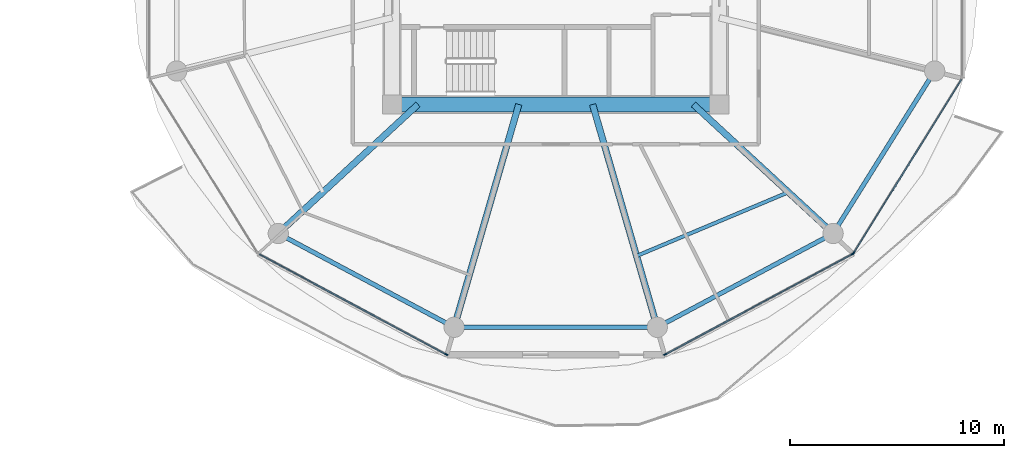
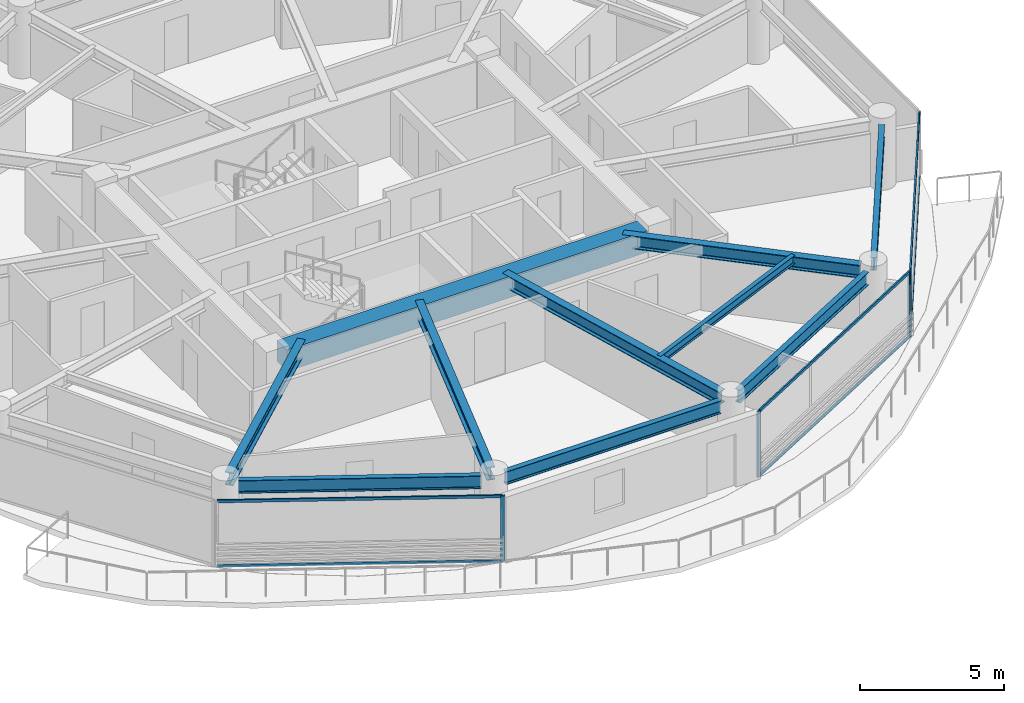
# One storey, part 10 of 25: 10 beams, 10 members, 3 elements without a shape of their own.
"""IFC4 building model written with IfcOpenShell, lengths in metres."""

from ifc_helpers import new_model, si_unit, direction, frame, origin, origin_2d, place, context, subcontext, project, spatial, rectangle, i_section, extrude, source, transform, mapped, material, layer, layer_set, material_profile, profile_set, type_object, type_shapes, element, aggregate, save


model = new_model("IFC4")

# Units and contexts
model_context = context("Model", 3, precision=1e-05, world=origin(), true_north=direction((0.0, 1.0)))
body_context = subcontext(model_context, "Body", "Model", "MODEL_VIEW")
ifc_project = project(units=[si_unit("LENGTHUNIT", "METRE"), si_unit("AREAUNIT", "SQUARE_METRE"), si_unit("VOLUMEUNIT", "CUBIC_METRE"), si_unit("PLANEANGLEUNIT", "RADIAN"), si_unit("MASSUNIT", "GRAM", prefix="KILO")], contexts=[model_context])

# Site, building, storey
site_placement = place(None, origin())
site = spatial("IfcSite", under=ifc_project, at=site_placement, CompositionType="ELEMENT")
building_placement = place(site_placement, origin())
building = spatial("IfcBuilding", under=site, at=building_placement, Name="Norrkilde Senior Care Towers", CompositionType="ELEMENT")
storey_placement = place(building_placement, frame((0.0, 0.0, 27.699951171875)))
storey = spatial("IfcBuildingStorey", under=building, at=storey_placement, Name="L07", CompositionType="ELEMENT", Elevation=27.699951171875)

# Beams
ifc_material_1 = material(Name="Concrete C60/75", Category="concrete")
ifc_material_profile_1 = material_profile(ifc_material_1, rectangle(XDim=0.699951171875, YDim=0.89990234375, at=origin_2d()), Name="RC BM 700x900")
ifc_profile_set_1 = profile_set([ifc_material_profile_1], Name="Concrete C60/75")
beam_type_1 = type_object("IfcBeamType", Name="Core Coupling Girder 700x900", PredefinedType="USERDEFINED", material=ifc_profile_set_1)
shared_shape_1 = source(origin(), body_context, "Body", "SweptSolid", [
    extrude(rectangle(XDim=0.699951171875, YDim=0.89990234375, at=origin_2d()), origin(), (0.0, 0.0, 1.0), 14.43994140625),
])
type_shapes(beam_type_1, [shared_shape_1])
beam_1_placement = place(storey_placement, frame((20.780029296875, -5.949951171875, 2.340087890625), z_axis=(1.0, 0.0, 0.0), x_axis=(0.0, 1.0, 0.0)))
element("IfcBeam", 1, at=beam_1_placement, inside=storey, type_object=beam_type_1, Name="L07 Core E S Coupling Girder", ObjectType="GIRDER", PredefinedType="USERDEFINED", context=body_context, shape_type="MappedRepresentation", body=[
    mapped(shared_shape_1, transform((0.0, 0.0, 0.0), x_axis=(1.0, 0.0, 0.0), y_axis=(0.0, 1.0, 0.0), z_axis=(0.0, 0.0, 1.0), scale=1.0)),
])
ifc_material_2 = material(Name="Steel S355", Category="steel")
ifc_material_profile_2 = material_profile(ifc_material_2, i_section(OverallWidth=0.2099609375, OverallDepth=0.550048828125, WebThickness=0.010986328125, FlangeThickness=0.01708984375, FilletRadius=0.02392578125, at=origin_2d()), Name="IPE 550")
ifc_profile_set_2 = profile_set([ifc_material_profile_2], Name="Steel S355")
beam_type_2 = type_object("IfcBeamType", Name="Perimeter Ring Spandrel Z1 IPE550", PredefinedType="SPANDREL", material=ifc_profile_set_2)
shared_shape_2 = source(origin(), body_context, "Body", "SweptSolid", [
    extrude(i_section(OverallWidth=0.2099609375, OverallDepth=0.550048828125, WebThickness=0.010986328125, FlangeThickness=0.01708984375, FilletRadius=0.02392578125, at=origin_2d()), origin(), (0.0, 0.0, 1.0), 8.090576171875),
])
beam_2_placement = place(storey_placement, frame((41.2060546875, -11.61669921875, 2.51513671875), z_axis=(0.530004364821, 0.84799491347, 0.0), x_axis=(-0.84799491347, 0.530004364821, 0.0)))
element("IfcBeam", 2, at=beam_2_placement, inside=storey, type_object=beam_type_2, Name="L07 Drum E Perimeter Spandrel 11", PredefinedType="SPANDREL", context=body_context, shape_type="MappedRepresentation", body=[
    mapped(shared_shape_2, transform((0.0, 0.0, 0.0), x_axis=(1.0, 0.0, 0.0), y_axis=(0.0, 1.0, 0.0), z_axis=(0.0, 0.0, 1.0), scale=1.0)),
])
shared_shape_3 = source(origin(), body_context, "Body", "SweptSolid", [
    extrude(i_section(OverallWidth=0.2099609375, OverallDepth=0.550048828125, WebThickness=0.010986328125, FlangeThickness=0.01708984375, FilletRadius=0.02392578125, at=origin_2d()), origin(), (0.0, 0.0, 1.0), 8.452880859375),
])
for number, where, z_axis, x_axis, name in (
    (3, (15.408447265625, -12.190185546875, 2.51513671875), (0.882368931134, -0.470558252898, 0.0), (0.470558252898, 0.882368931134, 0.0), "L07 Drum E Perimeter Spandrel 08"),
    (4, (33.133056640625, -16.167724609375, 2.51513671875), (0.882368931134, 0.470558252898, 0.0), (-0.470558252898, 0.882368931134, 0.0), "L07 Drum E Perimeter Spandrel 10"),
):
    element("IfcBeam", number, at=place(storey_placement, frame(where, z_axis=z_axis, x_axis=x_axis)), inside=storey, type_object=beam_type_2, Name=name, PredefinedType="SPANDREL", context=body_context, shape_type="MappedRepresentation", body=[
        mapped(shared_shape_3, transform((0.0, 0.0, 0.0), x_axis=(1.0, 0.0, 0.0), y_axis=(0.0, 1.0, 0.0), z_axis=(0.0, 0.0, 1.0), scale=1.0)),
    ])
ifc_material_profile_3 = material_profile(ifc_material_2, i_section(OverallWidth=0.300048828125, OverallDepth=0.550048828125, WebThickness=0.014892578125, FlangeThickness=0.029052734375, FilletRadius=0.027099609375, at=origin_2d()), Name="HEB 550")
ifc_profile_set_3 = profile_set([ifc_material_profile_3], Name="Steel S355")
beam_type_3 = type_object("IfcBeamType", Name="Radial Floor Beam Z1 HEB550", PredefinedType="BEAM", material=ifc_profile_set_3)
shared_shape_4 = source(origin(), body_context, "Body", "SweptSolid", [
    extrude(i_section(OverallWidth=0.300048828125, OverallDepth=0.550048828125, WebThickness=0.014892578125, FlangeThickness=0.029052734375, FilletRadius=0.027099609375, at=origin_2d()), origin(), (0.0, 0.0, 1.0), 8.459716796875),
])
for number, where, z_axis, x_axis, name in (
    (5, (21.55859375, -5.949951171875, 2.51513671875), (-0.734573269108, -0.678529374686, 0.0), (0.678529374686, -0.734573269108, 0.0), "L07 Drum E Radial Floor Beam 08"),
    (6, (34.44140625, -5.949951171875, 2.51513671875), (0.734573269108, -0.678529374686, 0.0), (0.678529374686, 0.734573269108, 0.0), "L07 Drum E Radial Floor Beam 11"),
):
    element("IfcBeam", number, at=place(storey_placement, frame(where, z_axis=z_axis, x_axis=x_axis)), inside=storey, type_object=beam_type_3, Name=name, PredefinedType="BEAM", context=body_context, shape_type="MappedRepresentation", body=[
        mapped(shared_shape_4, transform((0.0, 0.0, 0.0), x_axis=(1.0, 0.0, 0.0), y_axis=(0.0, 1.0, 0.0), z_axis=(0.0, 0.0, 1.0), scale=1.0)),
    ])
shared_shape_5 = source(origin(), body_context, "Body", "SweptSolid", [
    extrude(i_section(OverallWidth=0.2099609375, OverallDepth=0.550048828125, WebThickness=0.010986328125, FlangeThickness=0.01708984375, FilletRadius=0.02392578125, at=origin_2d()), origin(), (0.0, 0.0, 1.0), 8.62841796875),
])
type_shapes(beam_type_2, [shared_shape_2, shared_shape_3, shared_shape_5])
beam_3_placement = place(storey_placement, frame((23.685791015625, -16.37255859375, 2.51513671875), z_axis=(1.0, 0.0, 0.0), x_axis=(0.0, 1.0, 0.0)))
element("IfcBeam", 7, at=beam_3_placement, inside=storey, type_object=beam_type_2, Name="L07 Drum E Perimeter Spandrel 09", PredefinedType="SPANDREL", context=body_context, shape_type="MappedRepresentation", body=[
    mapped(shared_shape_5, transform((0.0, 0.0, 0.0), x_axis=(1.0, 0.0, 0.0), y_axis=(0.0, 1.0, 0.0), z_axis=(0.0, 0.0, 1.0), scale=1.0)),
])
shared_shape_6 = source(origin(), body_context, "Body", "SweptSolid", [
    extrude(i_section(OverallWidth=0.300048828125, OverallDepth=0.550048828125, WebThickness=0.014892578125, FlangeThickness=0.029052734375, FilletRadius=0.027099609375, at=origin_2d()), origin(), (0.0, 0.0, 1.0), 10.4169921875),
])
type_shapes(beam_type_3, [shared_shape_4, shared_shape_6])
for number, where, z_axis, x_axis, name in (
    (8, (26.27392578125, -5.949951171875, 2.51513671875), (-0.278591250785, -0.960409764104, 0.0), (0.960409764104, -0.278591250785, 0.0), "L07 Drum E Radial Floor Beam 09"),
    (9, (29.72607421875, -5.949951171875, 2.51513671875), (0.278591250785, -0.960409764104, 0.0), (0.960409764104, 0.278591250785, 0.0), "L07 Drum E Radial Floor Beam 10"),
):
    element("IfcBeam", number, at=place(storey_placement, frame(where, z_axis=z_axis, x_axis=x_axis)), inside=storey, type_object=beam_type_3, Name=name, PredefinedType="BEAM", context=body_context, shape_type="MappedRepresentation", body=[
        mapped(shared_shape_6, transform((0.0, 0.0, 0.0), x_axis=(1.0, 0.0, 0.0), y_axis=(0.0, 1.0, 0.0), z_axis=(0.0, 0.0, 1.0), scale=1.0)),
    ])
ifc_material_profile_4 = material_profile(ifc_material_2, i_section(OverallWidth=0.169921875, OverallDepth=0.360107421875, WebThickness=0.008056640625, FlangeThickness=0.0126953125, FilletRadius=0.01806640625, at=origin_2d()), Name="IPE 360")
ifc_profile_set_4 = profile_set([ifc_material_profile_4], Name="Steel S355")
beam_type_4 = type_object("IfcBeamType", Name="Secondary Floor Joist IPE360", PredefinedType="JOIST", material=ifc_profile_set_4)
shared_shape_7 = source(origin(), body_context, "Body", "SweptSolid", [
    extrude(i_section(OverallWidth=0.169921875, OverallDepth=0.360107421875, WebThickness=0.008056640625, FlangeThickness=0.0126953125, FilletRadius=0.01806640625, at=origin_2d()), origin(), (0.0, 0.0, 1.0), 7.703857421875),
])
type_shapes(beam_type_4, [shared_shape_7])
beam_4_placement = place(storey_placement, frame((31.78173828125, -13.037353515625, 2.610107421875), z_axis=(0.921982784465, 0.387230868023, 0.0), x_axis=(-0.387230868023, 0.921982784465, 0.0)))
element("IfcBeam", 10, at=beam_4_placement, inside=storey, type_object=beam_type_4, Name="L07 Drum E Secondary Floor Joist 4", PredefinedType="JOIST", context=body_context, shape_type="MappedRepresentation", body=[
    mapped(shared_shape_7, transform((0.0, 0.0, 0.0), x_axis=(1.0, 0.0, 0.0), y_axis=(0.0, 1.0, 0.0), z_axis=(0.0, 0.0, 1.0), scale=1.0)),
])

# Curtain wall, member
ifc_material_3 = material(Name="Triple Low-E Insulated Glazing", Category="glass")
ifc_layer = layer(ifc_material_3, 0.199951171875)
ifc_layer_set = layer_set([ifc_layer], Name="Triple Low-E Insulated Glazing")
curtain_wall_type = type_object("IfcCurtainWallType", Name="CW2 Zone 1 Memory Care Curtain Wall", PredefinedType="NOTDEFINED", material=ifc_layer_set)
curtain_wall_1_placement = place(storey_placement, origin())
curtain_wall_1 = element("IfcCurtainWall", 11, at=curtain_wall_1_placement, inside=storey, type_object=curtain_wall_type, Name="L07 Drum E Curtain Wall 07", PredefinedType="NOTDEFINED")
ifc_material_4 = material(Name="Anodised Aluminium", Category="aluminium")
ifc_material_profile_5 = material_profile(ifc_material_4, rectangle(XDim=0.06494140625, YDim=0.159912109375, at=origin_2d()), Name="ALU MULL 65x160")
ifc_profile_set_5 = profile_set([ifc_material_profile_5], Name="Anodised Aluminium")
member_type_1 = type_object("IfcMemberType", Name="Curtain Wall Mullion Z1-Z2 65x160", PredefinedType="MULLION", material=ifc_profile_set_5)
shared_shape_8 = source(origin(), body_context, "Body", "SweptSolid", [
    extrude(rectangle(XDim=0.06494140625, YDim=0.159912109375, at=origin_2d()), origin(), (0.0, 0.0, 1.0), 2.7900390625),
])
type_shapes(member_type_1, [shared_shape_8])
member_1_placement = place(storey_placement, frame((22.877685546875, -17.641845703125, 0.0), z_axis=(0.0, 0.0, 1.0), x_axis=(-0.472607802456, -0.881272866403, 0.0)))
member_1 = element("IfcMember", 12, at=member_1_placement, type_object=member_type_1, Name="CW-2 mullion 1", PredefinedType="MULLION", context=body_context, shape_type="MappedRepresentation", body=[
    mapped(shared_shape_8, transform((0.0, 0.0, 0.0), x_axis=(1.0, 0.0, 0.0), y_axis=(0.0, 1.0, 0.0), z_axis=(0.0, 0.0, 1.0), scale=1.0)),
])

# Curtain wall, members
curtain_wall_2_placement = place(storey_placement, origin())
curtain_wall_2 = element("IfcCurtainWall", 13, at=curtain_wall_2_placement, inside=storey, type_object=curtain_wall_type, Name="L07 Drum E Curtain Wall 09", PredefinedType="NOTDEFINED")
member_2_placement = place(storey_placement, frame((41.88720703125, -12.941162109375, 0.0), z_axis=(0.0, 0.0, 1.0), x_axis=(0.472607802456, -0.881272866403, 0.0)))
member_2 = element("IfcMember", 14, at=member_2_placement, type_object=member_type_1, Name="CW-2 mullion 1", PredefinedType="MULLION", context=body_context, shape_type="MappedRepresentation", body=[
    mapped(shared_shape_8, transform((0.0, 0.0, 0.0), x_axis=(1.0, 0.0, 0.0), y_axis=(0.0, 1.0, 0.0), z_axis=(0.0, 0.0, 1.0), scale=1.0)),
])
member_3_placement = place(storey_placement, frame((33.122314453125, -17.641845703125, 0.0), z_axis=(0.0, 0.0, 1.0), x_axis=(0.472607802456, -0.881272866403, 0.0)))
member_3 = element("IfcMember", 15, at=member_3_placement, type_object=member_type_1, Name="CW-2 mullion 2", PredefinedType="MULLION", context=body_context, shape_type="MappedRepresentation", body=[
    mapped(shared_shape_8, transform((0.0, 0.0, 0.0), x_axis=(1.0, 0.0, 0.0), y_axis=(0.0, 1.0, 0.0), z_axis=(0.0, 0.0, 1.0), scale=1.0)),
])

curtain_wall_3_placement = place(storey_placement, origin())
curtain_wall_3 = element("IfcCurtainWall", 16, at=curtain_wall_3_placement, inside=storey, type_object=curtain_wall_type, Name="L07 Drum E Curtain Wall 10", PredefinedType="NOTDEFINED")
member_4_placement = place(storey_placement, frame((41.93310546875, -12.898193359375, 0.0), z_axis=(0.0, 0.0, 1.0), x_axis=(0.849305943117, -0.527900951871, 0.0)))
member_4 = element("IfcMember", 17, at=member_4_placement, type_object=member_type_1, Name="CW-2 mullion 2", PredefinedType="MULLION", context=body_context, shape_type="MappedRepresentation", body=[
    mapped(shared_shape_8, transform((0.0, 0.0, 0.0), x_axis=(1.0, 0.0, 0.0), y_axis=(0.0, 1.0, 0.0), z_axis=(0.0, 0.0, 1.0), scale=1.0)),
])
ifc_material_profile_6 = material_profile(ifc_material_4, rectangle(XDim=0.06005859375, YDim=0.1201171875, at=origin_2d()), Name="ALU TRAN 60x120")
ifc_profile_set_6 = profile_set([ifc_material_profile_6], Name="Anodised Aluminium")
member_type_2 = type_object("IfcMemberType", Name="Curtain Wall Transom Typical 60x120", PredefinedType="USERDEFINED", material=ifc_profile_set_6)
shared_shape_9 = source(origin(), body_context, "Body", "SweptSolid", [
    extrude(rectangle(XDim=0.06005859375, YDim=0.1201171875, at=origin_2d()), origin(), (0.0, 0.0, 1.0), 9.5185546875),
])
member_5_placement = place(storey_placement, frame((46.97509765625, -4.786376953125, 0.030029296875), z_axis=(-0.527901620669, -0.849305527413, 0.0), x_axis=(0.849305527413, -0.527901620669, 0.0)))
member_5 = element("IfcMember", 18, at=member_5_placement, type_object=member_type_2, Name="CW-2 transom 1.1", ObjectType="TRANSOM", PredefinedType="USERDEFINED", context=body_context, shape_type="MappedRepresentation", body=[
    mapped(shared_shape_9, transform((0.0, 0.0, 0.0), x_axis=(1.0, 0.0, 0.0), y_axis=(0.0, 1.0, 0.0), z_axis=(0.0, 0.0, 1.0), scale=1.0)),
])
member_6_placement = place(storey_placement, frame((46.97509765625, -4.786376953125, 2.760009765625), z_axis=(-0.527901620669, -0.849305527413, 0.0), x_axis=(0.849305527413, -0.527901620669, 0.0)))
member_6 = element("IfcMember", 19, at=member_6_placement, type_object=member_type_2, Name="CW-2 transom 1.2", ObjectType="TRANSOM", PredefinedType="USERDEFINED", context=body_context, shape_type="MappedRepresentation", body=[
    mapped(shared_shape_9, transform((0.0, 0.0, 0.0), x_axis=(1.0, 0.0, 0.0), y_axis=(0.0, 1.0, 0.0), z_axis=(0.0, 0.0, 1.0), scale=1.0)),
])
aggregate(curtain_wall_3, [member_4, member_5, member_6])

# Member
shared_shape_10 = source(origin(), body_context, "Body", "SweptSolid", [
    extrude(rectangle(XDim=0.06005859375, YDim=0.1201171875, at=origin_2d()), origin(), (0.0, 0.0, 1.0), 9.880859375),
])
type_shapes(member_type_2, [shared_shape_9, shared_shape_10])
member_7_placement = place(storey_placement, frame((22.84912109375, -17.62646484375, 0.030029296875), z_axis=(-0.881267204043, 0.47261836092, 0.0), x_axis=(-0.47261836092, -0.881267204043, 0.0)))
member_7 = element("IfcMember", 20, at=member_7_placement, type_object=member_type_2, Name="CW-2 transom 1.1", ObjectType="TRANSOM", PredefinedType="USERDEFINED", context=body_context, shape_type="MappedRepresentation", body=[
    mapped(shared_shape_10, transform((0.0, 0.0, 0.0), x_axis=(1.0, 0.0, 0.0), y_axis=(0.0, 1.0, 0.0), z_axis=(0.0, 0.0, 1.0), scale=1.0)),
])

member_8_placement = place(storey_placement, frame((22.84912109375, -17.62646484375, 2.760009765625), z_axis=(-0.881267204043, 0.47261836092, 0.0), x_axis=(-0.47261836092, -0.881267204043, 0.0)))
member_8 = element("IfcMember", 21, at=member_8_placement, type_object=member_type_2, Name="CW-2 transom 1.2", ObjectType="TRANSOM", PredefinedType="USERDEFINED", context=body_context, shape_type="MappedRepresentation", body=[
    mapped(shared_shape_10, transform((0.0, 0.0, 0.0), x_axis=(1.0, 0.0, 0.0), y_axis=(0.0, 1.0, 0.0), z_axis=(0.0, 0.0, 1.0), scale=1.0)),
])

aggregate(curtain_wall_1, [member_1, member_7, member_8])

member_9_placement = place(storey_placement, frame((41.858642578125, -12.95654296875, 0.030029296875), z_axis=(-0.881267204043, -0.47261836092, 0.0), x_axis=(0.47261836092, -0.881267204043, 0.0)))
member_9 = element("IfcMember", 22, at=member_9_placement, type_object=member_type_2, Name="CW-2 transom 1.1", ObjectType="TRANSOM", PredefinedType="USERDEFINED", context=body_context, shape_type="MappedRepresentation", body=[
    mapped(shared_shape_10, transform((0.0, 0.0, 0.0), x_axis=(1.0, 0.0, 0.0), y_axis=(0.0, 1.0, 0.0), z_axis=(0.0, 0.0, 1.0), scale=1.0)),
])

member_10_placement = place(storey_placement, frame((41.858642578125, -12.95654296875, 2.760009765625), z_axis=(-0.881267204043, -0.47261836092, 0.0), x_axis=(0.47261836092, -0.881267204043, 0.0)))
member_10 = element("IfcMember", 23, at=member_10_placement, type_object=member_type_2, Name="CW-2 transom 1.2", ObjectType="TRANSOM", PredefinedType="USERDEFINED", context=body_context, shape_type="MappedRepresentation", body=[
    mapped(shared_shape_10, transform((0.0, 0.0, 0.0), x_axis=(1.0, 0.0, 0.0), y_axis=(0.0, 1.0, 0.0), z_axis=(0.0, 0.0, 1.0), scale=1.0)),
])

aggregate(curtain_wall_2, [member_2, member_3, member_9, member_10])

save(model, "model.ifc")
